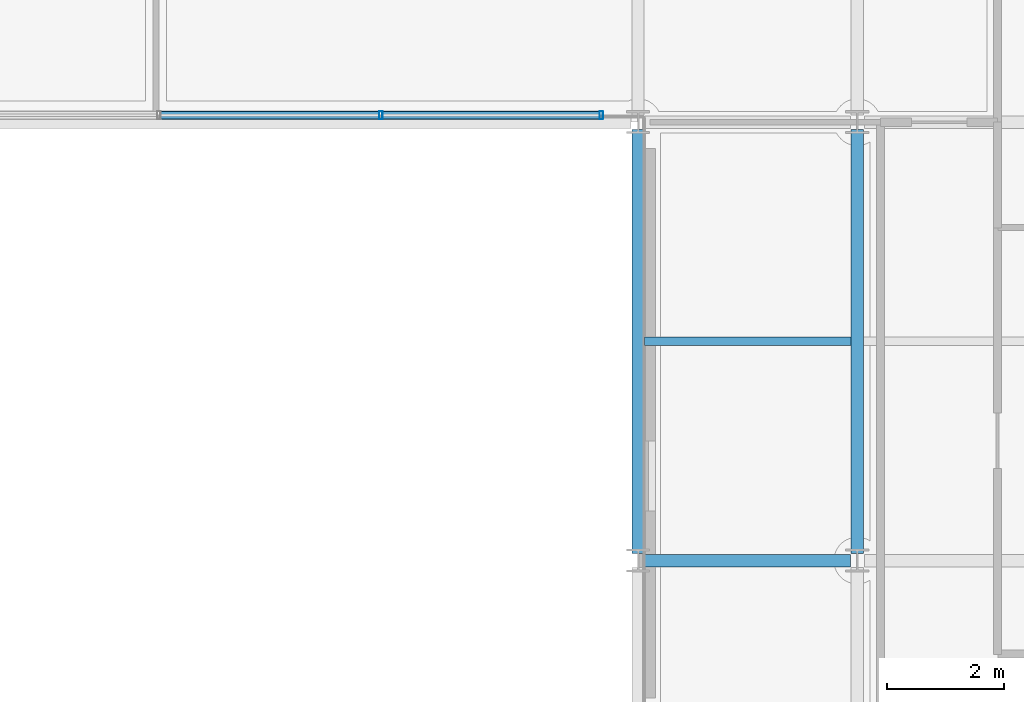
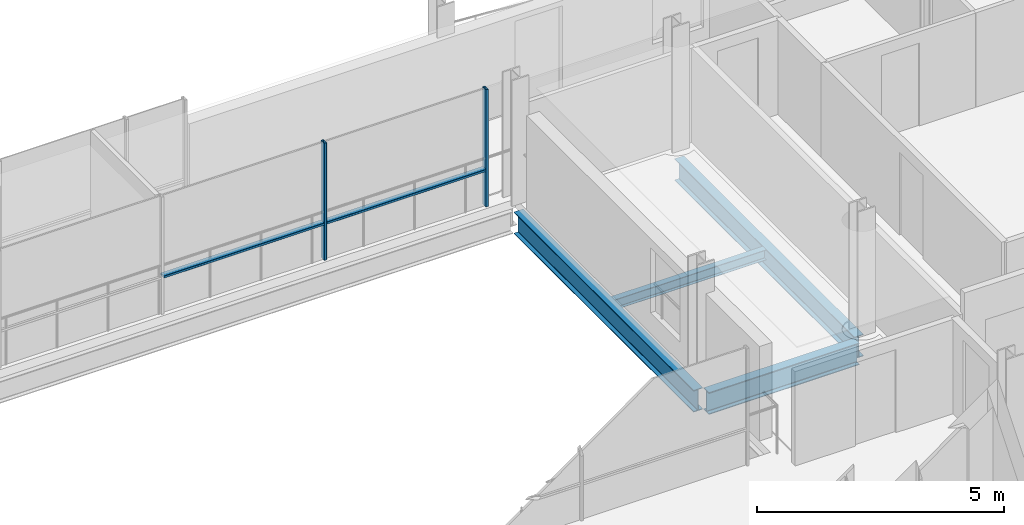
# One storey, part 18 of 38: 4 beams, 4 members, 1 element without a shape of its own.
"""IFC4 building model written with IfcOpenShell, lengths in metres."""

import ifcopenshell
import ifcopenshell.guid

model = None  # the IFC model being written
_history = None  # IfcOwnerHistory: only IFC2X3 demands one
_inside = {}  # id of a spatial element -> (the spatial element, [elements in it])
_under = {}  # id of a project, library or spatial element -> (it, [spatial elements below it])
_declared = {}  # id of a project -> (the project, [libraries it declares])
_typed = {}  # id of a type object -> (the type object, [elements of that type])
_made_of = {}  # id of a material, layer set ... -> (it, [elements and type objects made of it])


def new_model(schema):
    """Start an empty IFC model of exactly this schema.

    Asked for "IFC4X3", IfcOpenShell would pick the latest addendum, in which some entities
    have other attributes; the version numbers below select the first issue.
    IFC2X3 requires an IfcOwnerHistory on every rooted entity: one is made here for all.
    """
    global model, _history
    if schema == "IFC4X3":
        model = ifcopenshell.file(schema_version=(4, 3, 0, 0))
    else:
        model = ifcopenshell.file(schema=schema)
    _inside.clear()
    _under.clear()
    _declared.clear()
    _typed.clear()
    _made_of.clear()
    _history = None
    if model.schema == "IFC2X3":
        org = make("IfcOrganization", Name="unknown")
        user = make(
            "IfcPersonAndOrganization",
            ThePerson=make("IfcPerson", FamilyName="unknown"),
            TheOrganization=org,
        )
        app = make(
            "IfcApplication",
            ApplicationDeveloper=org,
            Version="unknown",
            ApplicationFullName="unknown",
            ApplicationIdentifier="unknown",
        )
        _history = make(
            "IfcOwnerHistory",
            OwningUser=user,
            OwningApplication=app,
            ChangeAction="ADDED",
            CreationDate=0,
        )
    return model


def make(cls, **values):
    """One entity of the class cls with the attributes given. An attribute that is None is left unset."""
    return model.create_entity(
        cls, **{name: value for name, value in values.items() if value is not None}
    )


def rooted(cls, **values):
    """An entity with a GlobalId (a new one), such as an element, a storey or a relation."""
    return make(cls, GlobalId=ifcopenshell.guid.new(), OwnerHistory=_history, **values)


def si_unit(unit_type, name, prefix=None):
    """IfcSIUnit, for example si_unit("LENGTHUNIT", "METRE", prefix="MILLI")."""
    return make("IfcSIUnit", UnitType=unit_type, Prefix=prefix, Name=name)


def assignment(units):
    """IfcUnitAssignment: the units of a project."""
    return None if units is None else make("IfcUnitAssignment", Units=units)


def point(xyz):
    """IfcCartesianPoint."""
    return None if xyz is None else make("IfcCartesianPoint", Coordinates=xyz)


def direction(xyz):
    """IfcDirection."""
    return None if xyz is None else make("IfcDirection", DirectionRatios=xyz)


def frame(location, z_axis=None, x_axis=None):
    """IfcAxis2Placement3D, a coordinate frame: its origin and axes. An axis left out is left unset."""
    return make(
        "IfcAxis2Placement3D",
        Location=point(location),
        Axis=direction(z_axis),
        RefDirection=direction(x_axis),
    )


def frame_2d(location, x_axis=None):
    """IfcAxis2Placement2D, a coordinate frame in the plane: its origin and x axis."""
    return make(
        "IfcAxis2Placement2D", Location=point(location), RefDirection=direction(x_axis)
    )


def origin():
    """The frame at (0, 0, 0) with its axes left unset."""
    return frame((0.0, 0.0, 0.0))


def origin_2d():
    """The frame at (0, 0) in the plane with its x axis left unset."""
    return frame_2d((0.0, 0.0))


def place(relative_to, where):
    """IfcLocalPlacement: puts the frame where relative to a parent placement (None: the world)."""
    return make(
        "IfcLocalPlacement", PlacementRelTo=relative_to, RelativePlacement=where
    )


def context(
    kind, dimensions, precision=None, world=None, true_north=None, identifier=None
):
    """IfcGeometricRepresentationContext, for example the 3D "Model" context."""
    return make(
        "IfcGeometricRepresentationContext",
        ContextIdentifier=identifier,
        ContextType=kind,
        CoordinateSpaceDimension=dimensions,
        Precision=precision,
        WorldCoordinateSystem=world,
        TrueNorth=true_north,
    )


def subcontext(parent, identifier, kind, view, scale=None):
    """IfcGeometricRepresentationSubContext, for example "Body" below "Model"."""
    return make(
        "IfcGeometricRepresentationSubContext",
        ContextIdentifier=identifier,
        ContextType=kind,
        ParentContext=parent,
        TargetScale=scale,
        TargetView=view,
    )


def project(units=None, contexts=None):
    """IfcProject with its units and contexts."""
    return rooted(
        "IfcProject",
        Name="project",
        RepresentationContexts=contexts,
        UnitsInContext=assignment(units),
    )


def spatial(cls, under=None, at=None, **own):
    """A site, building, storey or space (cls), placed at a placement, below another one or the project."""
    s = rooted(cls, ObjectPlacement=at, **own)
    if under is not None:
        _under.setdefault(under.id(), (under, []))[1].append(s)
    return s


def profile(cls, at=None, kind="AREA", **sizes):
    """A parametric profile (cls). Its sizes go by their IFC names, for example OverallWidth=200.0."""
    return make(cls, ProfileType=kind, Position=at, **sizes)


def hollow_rectangle(**sizes):
    """IfcRectangleHollowProfileDef."""
    return profile("IfcRectangleHollowProfileDef", **sizes)


def i_section(**sizes):
    """IfcIShapeProfileDef."""
    return profile("IfcIShapeProfileDef", **sizes)


def extrude(swept, where, along, depth):
    """IfcExtrudedAreaSolid: the profile swept, set in the frame where, extruded along a direction by depth."""
    return make(
        "IfcExtrudedAreaSolid",
        SweptArea=swept,
        Position=where,
        ExtrudedDirection=direction(along),
        Depth=depth,
    )


def shape(context_of_items, identifier, shape_type, items):
    """IfcShapeRepresentation: the items that make up one representation, for example the "Body"."""
    return make(
        "IfcShapeRepresentation",
        ContextOfItems=context_of_items,
        RepresentationIdentifier=identifier,
        RepresentationType=shape_type,
        Items=items,
    )


def material(Name=None, Category=None):
    """IfcMaterial."""
    return make("IfcMaterial", Name=Name, Category=Category)


def layer(
    of_material, thickness, ventilated=None, Name=None, Category=None, Priority=None
):
    """IfcMaterialLayer: one layer of a wall or slab, of a material (None: an air gap)."""
    return make(
        "IfcMaterialLayer",
        Material=of_material,
        LayerThickness=thickness,
        IsVentilated=ventilated,
        Name=Name,
        Category=Category,
        Priority=Priority,
    )


def layer_set(layers, Name=None):
    """IfcMaterialLayerSet."""
    return make("IfcMaterialLayerSet", MaterialLayers=layers, LayerSetName=Name)


def material_profile(
    of_material, cross_section, Name=None, Category=None, Priority=None
):
    """IfcMaterialProfile: a cross section and its material."""
    return make(
        "IfcMaterialProfile",
        Name=Name,
        Material=of_material,
        Profile=cross_section,
        Priority=Priority,
        Category=Category,
    )


def profile_set(profiles, Name=None, composite=None):
    """IfcMaterialProfileSet."""
    return make(
        "IfcMaterialProfileSet",
        Name=Name,
        MaterialProfiles=profiles,
        CompositeProfile=composite,
    )


def made_of(thing, what):
    """Note that an element or type object is made of a material, layer set ...; save() writes the relation."""
    if what is not None:
        _made_of.setdefault(what.id(), (what, []))[1].append(thing)
    return thing


def type_object(cls, material=None, **own):
    """A type object (cls), such as IfcWallType, which elements share."""
    return made_of(rooted(cls, **own), material)


def element(
    cls,
    number,
    at=None,
    inside=None,
    cuts=None,
    type_object=None,
    material=None,
    context=None,
    identifier="Body",
    shape_type=None,
    held_by="IfcProductDefinitionShape",
    body=None,
    shapes=None,
    **own,
):
    """One element of the class cls, such as IfcWall. Its Tag is "e" and its number.

    at: its placement. inside: the storey or other place that contains it. cuts: it is an
    opening in that element (IfcRelVoidsElement). A single representation is given by context,
    identifier, shape_type and body (its items); several are given by shapes. held_by: the class
    of the entity that holds the representations. save() writes the other relations.
    """
    e = rooted(cls, Tag="e%d" % number, ObjectPlacement=at, **own)
    if body is not None:
        shapes = [shape(context, identifier, shape_type, body)]
    if shapes is not None:
        e.Representation = make(held_by, Representations=shapes)
    if inside is not None:
        _inside.setdefault(inside.id(), (inside, []))[1].append(e)
    if cuts is not None:
        rooted(
            "IfcRelVoidsElement", RelatingBuildingElement=cuts, RelatedOpeningElement=e
        )
    if type_object is not None:
        _typed.setdefault(type_object.id(), (type_object, []))[1].append(e)
    return made_of(e, material)


def aggregate(whole, parts):
    """IfcRelAggregates: a whole, such as a stair, and the parts it consists of."""
    return rooted("IfcRelAggregates", RelatingObject=whole, RelatedObjects=parts)


def save(model, path):
    """Write the relations noted so far, then the file.

    IfcRelAggregates (storeys below a building ...), IfcRelContainedInSpatialStructure (elements
    in a storey), IfcRelDefinesByType, IfcRelAssociatesMaterial and IfcRelDeclares: one each for
    every whole, place, type object, material and project.
    """
    for whole, parts in _under.values():
        aggregate(whole, parts)
    for where, things in _inside.values():
        rooted(
            "IfcRelContainedInSpatialStructure",
            RelatedElements=things,
            RelatingStructure=where,
        )
    for kind, things in _typed.values():
        rooted("IfcRelDefinesByType", RelatedObjects=things, RelatingType=kind)
    for what, things in _made_of.values():
        rooted("IfcRelAssociatesMaterial", RelatedObjects=things, RelatingMaterial=what)
    for by, libraries in _declared.values():
        rooted("IfcRelDeclares", RelatingContext=by, RelatedDefinitions=libraries)
    model.write(path)


model = new_model("IFC4")

# Units and contexts
model_context = context("Model", 3, precision=1e-05, world=origin(), true_north=direction((0.0, 1.0)))
body_context = subcontext(model_context, "Body", "Model", "MODEL_VIEW")
ifc_project = project(units=[si_unit("LENGTHUNIT", "METRE"), si_unit("AREAUNIT", "SQUARE_METRE"), si_unit("VOLUMEUNIT", "CUBIC_METRE"), si_unit("PLANEANGLEUNIT", "RADIAN"), si_unit("MASSUNIT", "GRAM", prefix="KILO")], contexts=[model_context])

# Site, building, storey
site_placement = place(None, origin())
site = spatial("IfcSite", under=ifc_project, at=site_placement, CompositionType="ELEMENT")
building_placement = place(site_placement, origin())
building = spatial("IfcBuilding", under=site, at=building_placement, Name="Brevholm Reach", CompositionType="ELEMENT")
storey_placement = place(building_placement, frame((0.0, 0.0, 186.300048828125)))
storey = spatial("IfcBuildingStorey", under=building, at=storey_placement, Name="L56", CompositionType="ELEMENT", Elevation=186.300048828125)

# Beams
ifc_material_1 = material(Name="Structural Steel S355J2", Category="steel")
ifc_material_profile_1 = material_profile(ifc_material_1, i_section(OverallWidth=0.14599609375, OverallDepth=0.25146484375, WebThickness=0.006103515625, FlangeThickness=0.008544921875, FilletRadius=0.007568359375, at=origin_2d()), Name="UKB 254x146x31")
ifc_profile_set_1 = profile_set([ifc_material_profile_1], Name="Structural Steel S355J2")
beam_type_1 = type_object("IfcBeamType", Name="BM-B254", PredefinedType="BEAM", material=ifc_profile_set_1)
beam_1_placement = place(storey_placement, frame((38.35546875, 19.75, -0.335693359375), z_axis=(1.0, 0.0, 0.0), x_axis=(0.0, 1.0, 0.0)))
element("IfcBeam", 1, at=beam_1_placement, inside=storey, type_object=beam_type_1, Name="L56 Composite Secondary Floor Beam", PredefinedType="BEAM", context=body_context, shape_type="SweptSolid", body=[
    extrude(i_section(OverallWidth=0.14599609375, OverallDepth=0.25146484375, WebThickness=0.006103515625, FlangeThickness=0.008544921875, FilletRadius=0.007568359375, at=origin_2d()), origin(), (0.0, 0.0, 1.0), 3.5390625),
])
ifc_material_2 = material(Name="Structural Steel S355J2", Category="steel")
ifc_material_profile_2 = material_profile(ifc_material_2, i_section(OverallWidth=0.210693359375, OverallDepth=0.53955078125, WebThickness=0.01171875, FlangeThickness=0.018798828125, FilletRadius=0.0126953125, at=origin_2d()), Name="UKB 533x210x109")
ifc_profile_set_2 = profile_set([ifc_material_profile_2], Name="Structural Steel S355J2")
beam_type_2 = type_object("IfcBeamType", Name="BM-SP539", PredefinedType="SPANDREL", material=ifc_profile_set_2)
beam_2_placement = place(storey_placement, frame((38.3701171875, 16.0, -0.479736328125), z_axis=(1.0, 0.0, 0.0), x_axis=(0.0, 1.0, 0.0)))
element("IfcBeam", 2, at=beam_2_placement, inside=storey, type_object=beam_type_2, Name="L56 SP-01B Framing Beam", PredefinedType="SPANDREL", context=body_context, shape_type="SweptSolid", body=[
    extrude(i_section(OverallWidth=0.210693359375, OverallDepth=0.53955078125, WebThickness=0.01171875, FlangeThickness=0.018798828125, FilletRadius=0.0126953125, at=origin_2d()), origin(), (0.0, 0.0, 1.0), 3.509765625),
])
for number, where, z_axis, x_axis, name in (
    (3, (38.25, 16.1201171875, -0.479736328125), (0.0, 1.0, 0.0), (-1.0, 0.0, 0.0), "L56 SP-01B Framing Beam"),
    (4, (42.0, 16.1201171875, -0.479736328125), (0.0, 1.0, 0.0), (-1.0, 0.0, 0.0), "L56 SP-01B Framing Beam"),
):
    element("IfcBeam", number, at=place(storey_placement, frame(where, z_axis=z_axis, x_axis=x_axis)), inside=storey, type_object=beam_type_2, Name=name, PredefinedType="SPANDREL", context=body_context, shape_type="SweptSolid", body=[
        extrude(i_section(OverallWidth=0.210693359375, OverallDepth=0.53955078125, WebThickness=0.01171875, FlangeThickness=0.018798828125, FilletRadius=0.0126953125, at=origin_2d()), origin(), (0.0, 0.0, 1.0), 7.259765625),
    ])

# Curtain wall, members
ifc_material_3 = material(Name="Dark Anodised Aluminium 6063-T6 and Solar-Control Glass", Category="aluminium")
ifc_layer = layer(ifc_material_3, 0.139892578125)
ifc_layer_set = layer_set([ifc_layer], Name="Dark Anodised Aluminium 6063-T6 and Solar-Control Glass")
curtain_wall_type = type_object("IfcCurtainWallType", Name="CW-02", PredefinedType="NOTDEFINED", material=ifc_layer_set)
curtain_wall_placement = place(storey_placement, origin())
curtain_wall = element("IfcCurtainWall", 5, at=curtain_wall_placement, inside=storey, type_object=curtain_wall_type, Name="L56 Curtain Wall CW-02", PredefinedType="NOTDEFINED")
ifc_material_4 = material(Name="Dark Anodised Aluminium 6063-T6", Category="aluminium")
ifc_material_profile_3 = material_profile(ifc_material_4, hollow_rectangle(XDim=0.06005859375, YDim=0.139892578125, WallThickness=0.0048828125, InnerFilletRadius=0.0048828125, OuterFilletRadius=0.010009765625, at=origin_2d()), Name="RHS 140x60x5")
ifc_profile_set_3 = profile_set([ifc_material_profile_3], Name="Dark Anodised Aluminium 6063-T6")
member_type_1 = type_object("IfcMemberType", Name="CWM-140", PredefinedType="MULLION", material=ifc_profile_set_3)
member_1_placement = place(storey_placement, frame((37.6201171875, 23.6201171875, 0.0), z_axis=(0.0, 0.0, 1.0), x_axis=(-1.0, 0.0, 0.0)))
member_1 = element("IfcMember", 6, at=member_1_placement, type_object=member_type_1, Name="CM-140 Mullion 1", PredefinedType="MULLION", context=body_context, shape_type="SweptSolid", body=[
    extrude(hollow_rectangle(XDim=0.06005859375, YDim=0.139892578125, WallThickness=0.0048828125, InnerFilletRadius=0.0048828125, OuterFilletRadius=0.010009765625, at=origin_2d()), origin(), (0.0, 0.0, 1.0), 2.889892578125),
])
member_2_placement = place(storey_placement, frame((33.85009765625, 23.6201171875, 0.0), z_axis=(0.0, 0.0, 1.0), x_axis=(-1.0, 0.0, 0.0)))
member_2 = element("IfcMember", 7, at=member_2_placement, type_object=member_type_1, Name="CM-140 Mullion 2", PredefinedType="MULLION", context=body_context, shape_type="SweptSolid", body=[
    extrude(hollow_rectangle(XDim=0.06005859375, YDim=0.139892578125, WallThickness=0.0048828125, InnerFilletRadius=0.0048828125, OuterFilletRadius=0.010009765625, at=origin_2d()), origin(), (0.0, 0.0, 1.0), 2.889892578125),
])
ifc_material_5 = material(Name="Dark Anodised Aluminium 6063-T6", Category="aluminium")
ifc_material_profile_4 = material_profile(ifc_material_5, hollow_rectangle(XDim=0.06005859375, YDim=0.139892578125, WallThickness=0.0048828125, InnerFilletRadius=0.0048828125, OuterFilletRadius=0.010009765625, at=origin_2d()), Name="RHS 140x60x5")
ifc_profile_set_4 = profile_set([ifc_material_profile_4], Name="Dark Anodised Aluminium 6063-T6")
member_type_2 = type_object("IfcMemberType", Name="CWT-140", PredefinedType="NOTDEFINED", material=ifc_profile_set_4)
member_3_placement = place(storey_placement, frame((37.590087890625, 23.6201171875, 0.89990234375), z_axis=(-1.0, 0.0, 0.0), x_axis=(0.0, 0.0, 1.0)))
member_3 = element("IfcMember", 8, at=member_3_placement, type_object=member_type_2, Name="CT-140 Transom 1.1", ObjectType="TRANSOM", PredefinedType="USERDEFINED", context=body_context, shape_type="SweptSolid", body=[
    extrude(hollow_rectangle(XDim=0.06005859375, YDim=0.139892578125, WallThickness=0.0048828125, InnerFilletRadius=0.0048828125, OuterFilletRadius=0.010009765625, at=origin_2d()), origin(), (0.0, 0.0, 1.0), 3.710205078125),
])
member_4_placement = place(storey_placement, frame((33.820068359375, 23.6201171875, 0.89990234375), z_axis=(-1.0, 0.0, 0.0), x_axis=(0.0, 0.0, 1.0)))
member_4 = element("IfcMember", 9, at=member_4_placement, type_object=member_type_2, Name="CT-140 Transom 2.1", ObjectType="TRANSOM", PredefinedType="USERDEFINED", context=body_context, shape_type="SweptSolid", body=[
    extrude(hollow_rectangle(XDim=0.06005859375, YDim=0.139892578125, WallThickness=0.0048828125, InnerFilletRadius=0.0048828125, OuterFilletRadius=0.010009765625, at=origin_2d()), origin(), (0.0, 0.0, 1.0), 3.739990234375),
])
aggregate(curtain_wall, [member_1, member_2, member_3, member_4])

save(model, "model.ifc")
